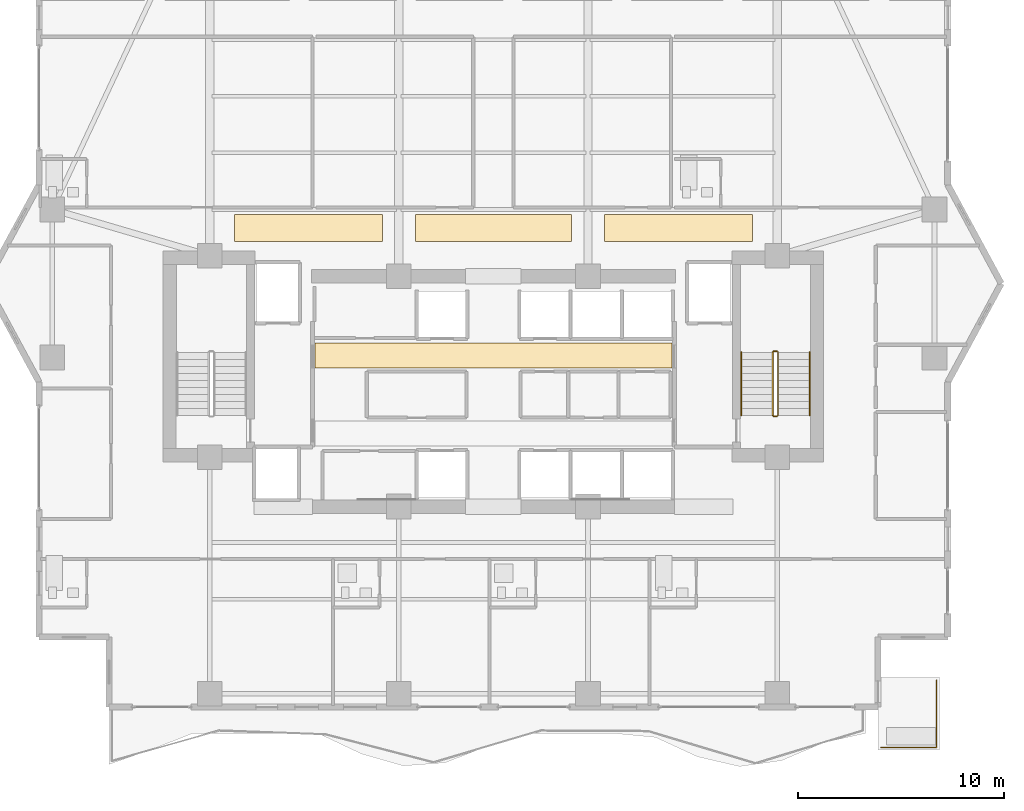
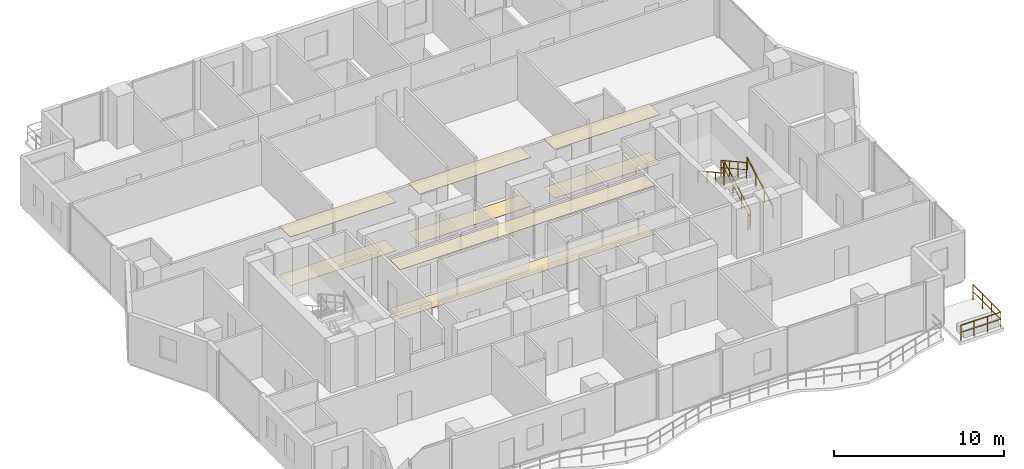
# One storey, part 31 of 33: 8 coverings, 7 railings.
"""IFC4 building model written with IfcOpenShell, lengths in metres."""

from ifc_helpers import new_model, si_unit, direction, frame, origin, origin_2d, place, context, subcontext, project, spatial, polyline, rectangle, outline, extrude, material, layer, layer_set, type_object, element, save


model = new_model("IFC4")

# Units and contexts
model_context = context("Model", 3, precision=1e-05, world=origin(), true_north=direction((0.0, 1.0)))
body_context = subcontext(model_context, "Body", "Model", "MODEL_VIEW")
ifc_project = project(units=[si_unit("LENGTHUNIT", "METRE"), si_unit("AREAUNIT", "SQUARE_METRE"), si_unit("VOLUMEUNIT", "CUBIC_METRE"), si_unit("PLANEANGLEUNIT", "RADIAN"), si_unit("MASSUNIT", "GRAM", prefix="KILO")], contexts=[model_context])

# Site, building, storey
site_placement = place(None, origin())
site = spatial("IfcSite", under=ifc_project, at=site_placement, CompositionType="ELEMENT")
building_placement = place(site_placement, origin())
building = spatial("IfcBuilding", under=site, at=building_placement, Name="Zuhayl Quay Hotel", CompositionType="ELEMENT")
storey_placement = place(building_placement, frame((0.0, 0.0, 207.39990234375)))
storey = spatial("IfcBuildingStorey", under=building, at=storey_placement, Name="L52", CompositionType="ELEMENT", Elevation=207.39990234375)

# Coverings
ifc_material_1 = material(Name="Acoustic Mineral-Fibre Gypsum Board")
ifc_layer_1 = layer(ifc_material_1, 0.02490234375, Name="Acoustic Mineral-Fibre Gypsum Board")
ifc_layer_set_1 = layer_set([ifc_layer_1], Name="Acoustic Mineral-Fibre Gypsum Board")
covering_type_1 = type_object("IfcCoveringType", Name="CV_CEIL_ACOUSTIC", PredefinedType="CEILING", material=ifc_layer_set_1)
covering_1_placement = place(storey_placement, frame((0.0, 0.0, 3.505126953125)))
element("IfcCovering", 1, at=covering_1_placement, inside=storey, type_object=covering_type_1, Name="L52 Suspended Acoustic Lobby Ceiling N", PredefinedType="CEILING", context=body_context, shape_type="SweptSolid", body=[
    extrude(outline(polyline([(-8.679931640625, 8.89990234375), (8.679931640625, 8.89990234375), (8.679931640625, 10.10009765625), (-8.679931640625, 10.10009765625), (-8.679931640625, 8.89990234375)])), origin(), (0.0, 0.0, 1.0), 0.02490234375),
])
covering_2_placement = place(storey_placement, frame((0.0, 0.0, 3.505126953125)))
element("IfcCovering", 2, at=covering_2_placement, inside=storey, type_object=covering_type_1, Name="L52 Guest Corridor Acoustic Ceiling CW", PredefinedType="CEILING", context=body_context, shape_type="SweptSolid", body=[
    extrude(outline(polyline([(-12.60009765625, 15.050048828125), (-5.39990234375, 15.050048828125), (-5.39990234375, 16.35009765625), (-12.60009765625, 16.35009765625), (-12.60009765625, 15.050048828125)])), origin(), (0.0, 0.0, 1.0), 0.02490234375),
])
covering_3_placement = place(storey_placement, frame((0.0, 0.0, 3.505126953125)))
element("IfcCovering", 3, at=covering_3_placement, inside=storey, type_object=covering_type_1, Name="L52 Guest Corridor Acoustic Ceiling CC", PredefinedType="CEILING", context=body_context, shape_type="SweptSolid", body=[
    extrude(outline(polyline([(-3.800048828125, 15.050048828125), (3.800048828125, 15.050048828125), (3.800048828125, 16.35009765625), (-3.800048828125, 16.35009765625), (-3.800048828125, 15.050048828125)])), origin(), (0.0, 0.0, 1.0), 0.02490234375),
])
covering_4_placement = place(storey_placement, frame((0.0, 0.0, 3.505126953125)))
element("IfcCovering", 4, at=covering_4_placement, inside=storey, type_object=covering_type_1, Name="L52 Guest Corridor Acoustic Ceiling CE", PredefinedType="CEILING", context=body_context, shape_type="SweptSolid", body=[
    extrude(outline(polyline([(5.39990234375, 15.050048828125), (12.60009765625, 15.050048828125), (12.60009765625, 16.35009765625), (5.39990234375, 16.35009765625), (5.39990234375, 15.050048828125)])), origin(), (0.0, 0.0, 1.0), 0.02490234375),
])
ifc_material_2 = material(Name="Polished Limestone Terrazzo", Category="masonry")
ifc_layer_2 = layer(ifc_material_2, 0.02001953125, Name="Polished Limestone Terrazzo", Category="masonry")
ifc_layer_set_2 = layer_set([ifc_layer_2], Name="Polished Limestone Terrazzo")
covering_type_2 = type_object("IfcCoveringType", Name="CV_FLOOR_TERRAZZO", PredefinedType="FLOORING", material=ifc_layer_set_2)
covering_5_placement = place(storey_placement, origin())
element("IfcCovering", 5, at=covering_5_placement, inside=storey, type_object=covering_type_2, Name="L52 Honed Limestone Terrazzo Lobby Flooring N", PredefinedType="FLOORING", context=body_context, shape_type="SweptSolid", body=[
    extrude(outline(polyline([(-8.679931640625, 8.89990234375), (8.679931640625, 8.89990234375), (8.679931640625, 10.10009765625), (-8.679931640625, 10.10009765625), (-8.679931640625, 8.89990234375)])), origin(), (0.0, 0.0, 1.0), 0.02001953125),
])
covering_6_placement = place(storey_placement, origin())
element("IfcCovering", 6, at=covering_6_placement, inside=storey, type_object=covering_type_2, Name="L52 Guest Corridor Terrazzo Runner CW", PredefinedType="FLOORING", context=body_context, shape_type="SweptSolid", body=[
    extrude(outline(polyline([(-12.60009765625, 15.050048828125), (-5.39990234375, 15.050048828125), (-5.39990234375, 16.35009765625), (-12.60009765625, 16.35009765625), (-12.60009765625, 15.050048828125)])), origin(), (0.0, 0.0, 1.0), 0.02001953125),
])
covering_7_placement = place(storey_placement, origin())
element("IfcCovering", 7, at=covering_7_placement, inside=storey, type_object=covering_type_2, Name="L52 Guest Corridor Terrazzo Runner CC", PredefinedType="FLOORING", context=body_context, shape_type="SweptSolid", body=[
    extrude(outline(polyline([(-3.800048828125, 15.050048828125), (3.800048828125, 15.050048828125), (3.800048828125, 16.35009765625), (-3.800048828125, 16.35009765625), (-3.800048828125, 15.050048828125)])), origin(), (0.0, 0.0, 1.0), 0.02001953125),
])
covering_8_placement = place(storey_placement, origin())
element("IfcCovering", 8, at=covering_8_placement, inside=storey, type_object=covering_type_2, Name="L52 Guest Corridor Terrazzo Runner CE", PredefinedType="FLOORING", context=body_context, shape_type="SweptSolid", body=[
    extrude(outline(polyline([(5.39990234375, 15.050048828125), (12.60009765625, 15.050048828125), (12.60009765625, 16.35009765625), (5.39990234375, 16.35009765625), (5.39990234375, 15.050048828125)])), origin(), (0.0, 0.0, 1.0), 0.02001953125),
])

# Railings
ifc_material_3 = material(Name="Anodised Aluminium and Laminated Glass", Category="aluminium")
railing_type_1 = type_object("IfcRailingType", Name="RL_EXT_BAL_1100", PredefinedType="BALUSTRADE", material=ifc_material_3)
railing_1_placement = place(storey_placement, frame((18.840087890625, -9.56005859375, 0.0)))
element("IfcRailing", 9, at=railing_1_placement, inside=storey, type_object=railing_type_1, Name="L52 Balcony and Terrace Guard GR_L52_SPIRAL_SE", PredefinedType="BALUSTRADE", context=body_context, shape_type="SweptSolid", body=[
    extrude(rectangle(XDim=0.048095703125, YDim=0.048095703125, at=origin_2d()), frame((0.0, 0.0, 1.09619140625), z_axis=(1.0, 0.0, 0.0), x_axis=(0.0, 1.0, 0.0)), (0.0, 0.0, 1.0), 2.719970703125),
    extrude(rectangle(XDim=0.0361328125, YDim=0.0361328125, at=origin_2d()), frame((0.0, 0.0, 0.58251953125), z_axis=(1.0, 0.0, 0.0), x_axis=(0.0, 1.0, 0.0)), (0.0, 0.0, 1.0), 2.719970703125),
    extrude(rectangle(XDim=0.048095703125, YDim=0.048095703125, at=origin_2d()), frame((2.719970703125, 0.0, 1.09619140625), z_axis=(0.0, 1.0, 0.0), x_axis=(-1.0, 0.0, 0.0)), (0.0, 0.0, 1.0), 3.27001953125),
    extrude(rectangle(XDim=0.0361328125, YDim=0.0361328125, at=origin_2d()), frame((2.719970703125, 0.0, 0.58251953125), z_axis=(0.0, 1.0, 0.0), x_axis=(-1.0, 0.0, 0.0)), (0.0, 0.0, 1.0), 3.27001953125),
    extrude(rectangle(XDim=0.0419921875, YDim=0.0419921875, at=origin_2d()), origin(), (0.0, 0.0, 1.0), 1.072021484375),
    extrude(rectangle(XDim=0.0419921875, YDim=0.0419921875, at=origin_2d()), frame((0.90673828125, 0.0, 0.0)), (0.0, 0.0, 1.0), 1.072021484375),
    extrude(rectangle(XDim=0.0419921875, YDim=0.0419921875, at=origin_2d()), frame((1.813232421875, 0.0, 0.0)), (0.0, 0.0, 1.0), 1.072021484375),
    extrude(rectangle(XDim=0.0419921875, YDim=0.0419921875, at=origin_2d()), frame((2.719970703125, 0.0, 0.0)), (0.0, 0.0, 1.0), 1.072021484375),
    extrude(rectangle(XDim=0.0419921875, YDim=0.0419921875, at=origin_2d()), frame((2.719970703125, 1.090087890625, 0.0)), (0.0, 0.0, 1.0), 1.072021484375),
    extrude(rectangle(XDim=0.0419921875, YDim=0.0419921875, at=origin_2d()), frame((2.719970703125, 2.179931640625, 0.0)), (0.0, 0.0, 1.0), 1.072021484375),
    extrude(rectangle(XDim=0.0419921875, YDim=0.0419921875, at=origin_2d()), frame((2.719970703125, 3.27001953125, 0.0)), (0.0, 0.0, 1.0), 1.072021484375),
])
ifc_material_4 = material(Name="Steel ASTM A992 Grade 50", Category="steel")
railing_type_2 = type_object("IfcRailingType", Name="RL_GUARD_1100", PredefinedType="GUARDRAIL", material=ifc_material_4)
railing_2_placement = place(storey_placement, frame((13.840087890625, 6.590087890625, 0.1875)))
element("IfcRailing", 10, at=railing_2_placement, inside=storey, type_object=railing_type_2, Name="L52 ST2 stair guard 1", PredefinedType="GUARDRAIL", context=body_context, shape_type="SweptSolid", body=[
    extrude(rectangle(XDim=0.048095703125, YDim=0.048095703125, at=origin_2d()), frame((0.0, 0.0, 1.09619140625), z_axis=(0.0, 0.875659195171, 0.482929574485), x_axis=(-1.0, 0.0, 0.0)), (0.0, 0.0, 1.0), 3.494384765625),
    extrude(rectangle(XDim=0.0361328125, YDim=0.0361328125, at=origin_2d()), frame((0.0, 0.0, 0.58251953125), z_axis=(0.0, 0.875659195171, 0.482929574485), x_axis=(-1.0, 0.0, 0.0)), (0.0, 0.0, 1.0), 3.494384765625),
    extrude(rectangle(XDim=0.0419921875, YDim=0.0419921875, at=origin_2d()), origin(), (0.0, 0.0, 1.0), 1.072021484375),
    extrude(rectangle(XDim=0.0419921875, YDim=0.0419921875, at=origin_2d()), frame((0.0, 1.02001953125, 0.5625)), (0.0, 0.0, 1.0), 1.072021484375),
    extrude(rectangle(XDim=0.0419921875, YDim=0.0419921875, at=origin_2d()), frame((0.0, 2.039794921875, 1.125)), (0.0, 0.0, 1.0), 1.072021484375),
    extrude(rectangle(XDim=0.0419921875, YDim=0.0419921875, at=origin_2d()), frame((0.0, 3.059814453125, 1.6875)), (0.0, 0.0, 1.0), 1.072021484375),
])
railing_3_placement = place(storey_placement, frame((13.7900390625, 9.699951171875, 1.875)))
element("IfcRailing", 11, at=railing_3_placement, inside=storey, type_object=railing_type_2, Name="L52 ST2 stair guard 2", PredefinedType="GUARDRAIL", context=body_context, shape_type="SweptSolid", body=[
    extrude(rectangle(XDim=0.048095703125, YDim=0.048095703125, at=origin_2d()), frame((0.0, 0.0, 1.09619140625), z_axis=(-1.0, 0.0, 0.0), x_axis=(0.0, -1.0, 0.0)), (0.0, 0.0, 1.0), 0.150146484375),
    extrude(rectangle(XDim=0.0361328125, YDim=0.0361328125, at=origin_2d()), frame((0.0, 0.0, 0.58251953125), z_axis=(-1.0, 0.0, 0.0), x_axis=(0.0, -1.0, 0.0)), (0.0, 0.0, 1.0), 0.150146484375),
    extrude(rectangle(XDim=0.0419921875, YDim=0.0419921875, at=origin_2d()), origin(), (0.0, 0.0, 1.0), 1.072021484375),
    extrude(rectangle(XDim=0.0419921875, YDim=0.0419921875, at=origin_2d()), frame((-0.150146484375, 0.0, 0.0)), (0.0, 0.0, 1.0), 1.072021484375),
])
railing_4_placement = place(storey_placement, frame((13.590087890625, 9.64990234375, 2.0625)))
element("IfcRailing", 12, at=railing_4_placement, inside=storey, type_object=railing_type_2, Name="L52 ST2 stair guard 3", PredefinedType="GUARDRAIL", context=body_context, shape_type="SweptSolid", body=[
    extrude(rectangle(XDim=0.048095703125, YDim=0.048095703125, at=origin_2d()), frame((0.0, 0.0, 1.09619140625), z_axis=(0.0, -0.875659195171, 0.482929574485), x_axis=(1.0, 0.0, 0.0)), (0.0, 0.0, 1.0), 3.494384765625),
    extrude(rectangle(XDim=0.0361328125, YDim=0.0361328125, at=origin_2d()), frame((0.0, 0.0, 0.58251953125), z_axis=(0.0, -0.875659195171, 0.482929574485), x_axis=(1.0, 0.0, 0.0)), (0.0, 0.0, 1.0), 3.494384765625),
    extrude(rectangle(XDim=0.0419921875, YDim=0.0419921875, at=origin_2d()), origin(), (0.0, 0.0, 1.0), 1.072021484375),
    extrude(rectangle(XDim=0.0419921875, YDim=0.0419921875, at=origin_2d()), frame((0.0, -1.02001953125, 0.5625)), (0.0, 0.0, 1.0), 1.072021484375),
    extrude(rectangle(XDim=0.0419921875, YDim=0.0419921875, at=origin_2d()), frame((0.0, -2.039794921875, 1.125)), (0.0, 0.0, 1.0), 1.072021484375),
    extrude(rectangle(XDim=0.0419921875, YDim=0.0419921875, at=origin_2d()), frame((0.0, -3.059814453125, 1.6875)), (0.0, 0.0, 1.0), 1.072021484375),
])
railing_5_placement = place(storey_placement, frame((13.7900390625, 6.5400390625, 0.0)))
element("IfcRailing", 13, at=railing_5_placement, inside=storey, type_object=railing_type_2, Name="L52 ST2 stair guard 4", PredefinedType="GUARDRAIL", context=body_context, shape_type="SweptSolid", body=[
    extrude(rectangle(XDim=0.048095703125, YDim=0.048095703125, at=origin_2d()), frame((0.0, 0.0, 1.09619140625), z_axis=(-1.0, 0.0, 0.0), x_axis=(0.0, -1.0, 0.0)), (0.0, 0.0, 1.0), 0.150146484375),
    extrude(rectangle(XDim=0.0361328125, YDim=0.0361328125, at=origin_2d()), frame((0.0, 0.0, 0.58251953125), z_axis=(-1.0, 0.0, 0.0), x_axis=(0.0, -1.0, 0.0)), (0.0, 0.0, 1.0), 0.150146484375),
    extrude(rectangle(XDim=0.0419921875, YDim=0.0419921875, at=origin_2d()), origin(), (0.0, 0.0, 1.0), 1.072021484375),
    extrude(rectangle(XDim=0.0419921875, YDim=0.0419921875, at=origin_2d()), frame((-0.150146484375, 0.0, 0.0)), (0.0, 0.0, 1.0), 1.072021484375),
])
railing_type_3 = type_object("IfcRailingType", Name="RL_HANDRAIL_920", PredefinedType="HANDRAIL", material=ifc_material_4)
railing_6_placement = place(storey_placement, frame((15.3798828125, 6.590087890625, 0.1875)))
element("IfcRailing", 14, at=railing_6_placement, inside=storey, type_object=railing_type_3, Name="L52 ST2 stair handrail 1", PredefinedType="HANDRAIL", context=body_context, shape_type="SweptSolid", body=[
    extrude(rectangle(XDim=0.048095703125, YDim=0.048095703125, at=origin_2d()), frame((0.0, 0.0, 0.8759765625), z_axis=(0.0, 0.875659195171, 0.482929574485), x_axis=(-1.0, 0.0, 0.0)), (0.0, 0.0, 1.0), 3.494384765625),
    extrude(rectangle(XDim=0.0419921875, YDim=0.0419921875, at=origin_2d()), origin(), (0.0, 0.0, 1.0), 0.851806640625),
    extrude(rectangle(XDim=0.0419921875, YDim=0.0419921875, at=origin_2d()), frame((0.0, 1.02001953125, 0.5625)), (0.0, 0.0, 1.0), 0.851806640625),
    extrude(rectangle(XDim=0.0419921875, YDim=0.0419921875, at=origin_2d()), frame((0.0, 2.039794921875, 1.125)), (0.0, 0.0, 1.0), 0.851806640625),
    extrude(rectangle(XDim=0.0419921875, YDim=0.0419921875, at=origin_2d()), frame((0.0, 3.059814453125, 1.6875)), (0.0, 0.0, 1.0), 0.851806640625),
])
railing_7_placement = place(storey_placement, frame((12.050048828125, 9.64990234375, 2.0625)))
element("IfcRailing", 15, at=railing_7_placement, inside=storey, type_object=railing_type_3, Name="L52 ST2 stair handrail 2", PredefinedType="HANDRAIL", context=body_context, shape_type="SweptSolid", body=[
    extrude(rectangle(XDim=0.048095703125, YDim=0.048095703125, at=origin_2d()), frame((0.0, 0.0, 0.8759765625), z_axis=(0.0, -0.875659195171, 0.482929574485), x_axis=(1.0, 0.0, 0.0)), (0.0, 0.0, 1.0), 3.494384765625),
    extrude(rectangle(XDim=0.0419921875, YDim=0.0419921875, at=origin_2d()), origin(), (0.0, 0.0, 1.0), 0.851806640625),
    extrude(rectangle(XDim=0.0419921875, YDim=0.0419921875, at=origin_2d()), frame((0.0, -1.02001953125, 0.5625)), (0.0, 0.0, 1.0), 0.851806640625),
    extrude(rectangle(XDim=0.0419921875, YDim=0.0419921875, at=origin_2d()), frame((0.0, -2.039794921875, 1.125)), (0.0, 0.0, 1.0), 0.851806640625),
    extrude(rectangle(XDim=0.0419921875, YDim=0.0419921875, at=origin_2d()), frame((0.0, -3.059814453125, 1.6875)), (0.0, 0.0, 1.0), 0.851806640625),
])

save(model, "model.ifc")
